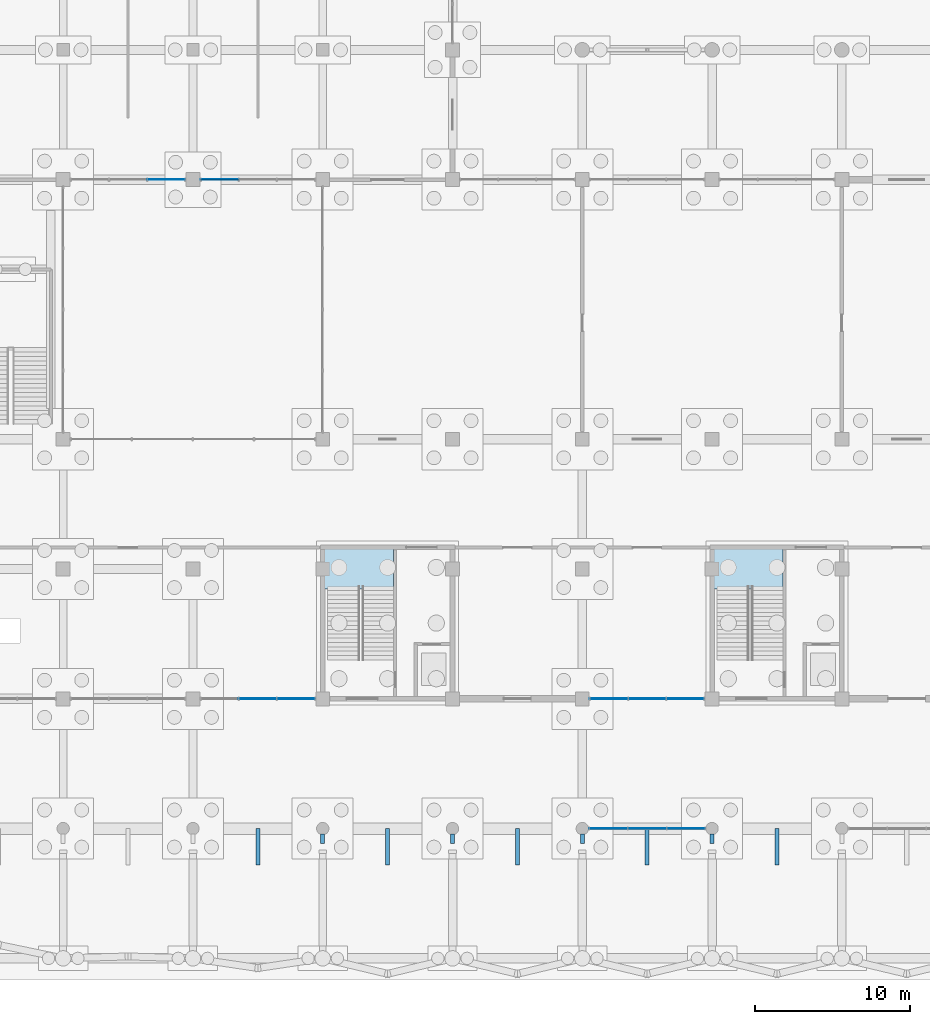
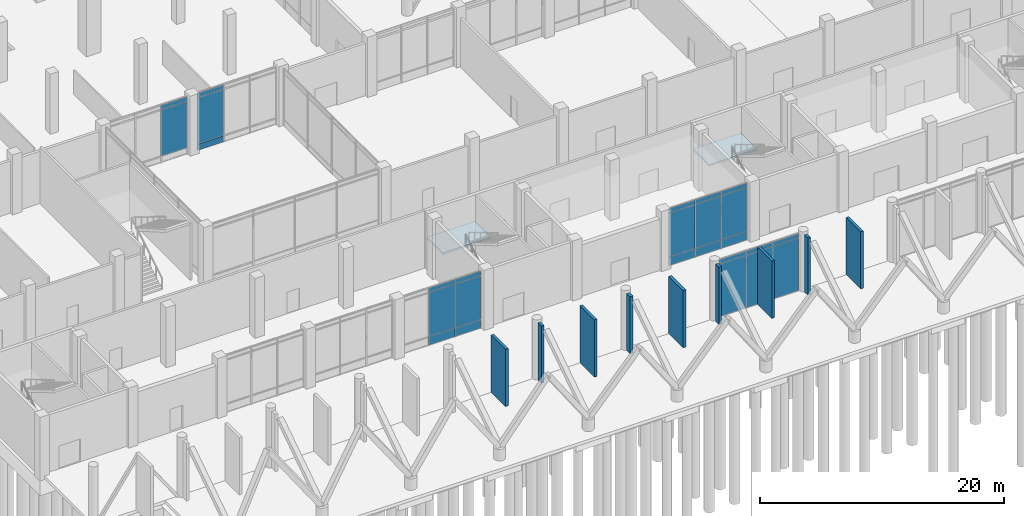
# One storey, part 38 of 72: 35 plates, 2 slabs, 7 elements without a shape of their own.
"""IFC4 building model written with IfcOpenShell, lengths in metres."""

import ifcopenshell
import ifcopenshell.guid

model = None  # the IFC model being written
_history = None  # IfcOwnerHistory: only IFC2X3 demands one
_inside = {}  # id of a spatial element -> (the spatial element, [elements in it])
_under = {}  # id of a project, library or spatial element -> (it, [spatial elements below it])
_declared = {}  # id of a project -> (the project, [libraries it declares])
_typed = {}  # id of a type object -> (the type object, [elements of that type])
_made_of = {}  # id of a material, layer set ... -> (it, [elements and type objects made of it])


def new_model(schema):
    """Start an empty IFC model of exactly this schema.

    Asked for "IFC4X3", IfcOpenShell would pick the latest addendum, in which some entities
    have other attributes; the version numbers below select the first issue.
    IFC2X3 requires an IfcOwnerHistory on every rooted entity: one is made here for all.
    """
    global model, _history
    if schema == "IFC4X3":
        model = ifcopenshell.file(schema_version=(4, 3, 0, 0))
    else:
        model = ifcopenshell.file(schema=schema)
    _inside.clear()
    _under.clear()
    _declared.clear()
    _typed.clear()
    _made_of.clear()
    _history = None
    if model.schema == "IFC2X3":
        org = make("IfcOrganization", Name="unknown")
        user = make(
            "IfcPersonAndOrganization",
            ThePerson=make("IfcPerson", FamilyName="unknown"),
            TheOrganization=org,
        )
        app = make(
            "IfcApplication",
            ApplicationDeveloper=org,
            Version="unknown",
            ApplicationFullName="unknown",
            ApplicationIdentifier="unknown",
        )
        _history = make(
            "IfcOwnerHistory",
            OwningUser=user,
            OwningApplication=app,
            ChangeAction="ADDED",
            CreationDate=0,
        )
    return model


def make(cls, **values):
    """One entity of the class cls with the attributes given. An attribute that is None is left unset."""
    return model.create_entity(
        cls, **{name: value for name, value in values.items() if value is not None}
    )


def rooted(cls, **values):
    """An entity with a GlobalId (a new one), such as an element, a storey or a relation."""
    return make(cls, GlobalId=ifcopenshell.guid.new(), OwnerHistory=_history, **values)


def si_unit(unit_type, name, prefix=None):
    """IfcSIUnit, for example si_unit("LENGTHUNIT", "METRE", prefix="MILLI")."""
    return make("IfcSIUnit", UnitType=unit_type, Prefix=prefix, Name=name)


def assignment(units):
    """IfcUnitAssignment: the units of a project."""
    return None if units is None else make("IfcUnitAssignment", Units=units)


def point(xyz):
    """IfcCartesianPoint."""
    return None if xyz is None else make("IfcCartesianPoint", Coordinates=xyz)


def direction(xyz):
    """IfcDirection."""
    return None if xyz is None else make("IfcDirection", DirectionRatios=xyz)


def frame(location, z_axis=None, x_axis=None):
    """IfcAxis2Placement3D, a coordinate frame: its origin and axes. An axis left out is left unset."""
    return make(
        "IfcAxis2Placement3D",
        Location=point(location),
        Axis=direction(z_axis),
        RefDirection=direction(x_axis),
    )


def frame_2d(location, x_axis=None):
    """IfcAxis2Placement2D, a coordinate frame in the plane: its origin and x axis."""
    return make(
        "IfcAxis2Placement2D", Location=point(location), RefDirection=direction(x_axis)
    )


def origin():
    """The frame at (0, 0, 0) with its axes left unset."""
    return frame((0.0, 0.0, 0.0))


def place(relative_to, where):
    """IfcLocalPlacement: puts the frame where relative to a parent placement (None: the world)."""
    return make(
        "IfcLocalPlacement", PlacementRelTo=relative_to, RelativePlacement=where
    )


def context(
    kind, dimensions, precision=None, world=None, true_north=None, identifier=None
):
    """IfcGeometricRepresentationContext, for example the 3D "Model" context."""
    return make(
        "IfcGeometricRepresentationContext",
        ContextIdentifier=identifier,
        ContextType=kind,
        CoordinateSpaceDimension=dimensions,
        Precision=precision,
        WorldCoordinateSystem=world,
        TrueNorth=true_north,
    )


def subcontext(parent, identifier, kind, view, scale=None):
    """IfcGeometricRepresentationSubContext, for example "Body" below "Model"."""
    return make(
        "IfcGeometricRepresentationSubContext",
        ContextIdentifier=identifier,
        ContextType=kind,
        ParentContext=parent,
        TargetScale=scale,
        TargetView=view,
    )


def project(units=None, contexts=None):
    """IfcProject with its units and contexts."""
    return rooted(
        "IfcProject",
        Name="project",
        RepresentationContexts=contexts,
        UnitsInContext=assignment(units),
    )


def spatial(cls, under=None, at=None, **own):
    """A site, building, storey or space (cls), placed at a placement, below another one or the project."""
    s = rooted(cls, ObjectPlacement=at, **own)
    if under is not None:
        _under.setdefault(under.id(), (under, []))[1].append(s)
    return s


def polyline(points):
    """IfcPolyline through the points."""
    return make("IfcPolyline", Points=[point(p) for p in points])


def profile(cls, at=None, kind="AREA", **sizes):
    """A parametric profile (cls). Its sizes go by their IFC names, for example OverallWidth=200.0."""
    return make(cls, ProfileType=kind, Position=at, **sizes)


def rectangle(**sizes):
    """IfcRectangleProfileDef."""
    return profile("IfcRectangleProfileDef", **sizes)


def outline(outer, holes=None, kind="AREA"):
    """IfcArbitraryClosedProfileDef: a profile drawn as a closed curve; with holes, ...WithVoids."""
    if holes is None:
        return make("IfcArbitraryClosedProfileDef", ProfileType=kind, OuterCurve=outer)
    return make(
        "IfcArbitraryProfileDefWithVoids",
        ProfileType=kind,
        OuterCurve=outer,
        InnerCurves=holes,
    )


def extrude(swept, where, along, depth):
    """IfcExtrudedAreaSolid: the profile swept, set in the frame where, extruded along a direction by depth."""
    return make(
        "IfcExtrudedAreaSolid",
        SweptArea=swept,
        Position=where,
        ExtrudedDirection=direction(along),
        Depth=depth,
    )


def shape(context_of_items, identifier, shape_type, items):
    """IfcShapeRepresentation: the items that make up one representation, for example the "Body"."""
    return make(
        "IfcShapeRepresentation",
        ContextOfItems=context_of_items,
        RepresentationIdentifier=identifier,
        RepresentationType=shape_type,
        Items=items,
    )


def material(Name=None, Category=None):
    """IfcMaterial."""
    return make("IfcMaterial", Name=Name, Category=Category)


def layer(
    of_material, thickness, ventilated=None, Name=None, Category=None, Priority=None
):
    """IfcMaterialLayer: one layer of a wall or slab, of a material (None: an air gap)."""
    return make(
        "IfcMaterialLayer",
        Material=of_material,
        LayerThickness=thickness,
        IsVentilated=ventilated,
        Name=Name,
        Category=Category,
        Priority=Priority,
    )


def layer_set(layers, Name=None):
    """IfcMaterialLayerSet."""
    return make("IfcMaterialLayerSet", MaterialLayers=layers, LayerSetName=Name)


def made_of(thing, what):
    """Note that an element or type object is made of a material, layer set ...; save() writes the relation."""
    if what is not None:
        _made_of.setdefault(what.id(), (what, []))[1].append(thing)
    return thing


def type_object(cls, material=None, **own):
    """A type object (cls), such as IfcWallType, which elements share."""
    return made_of(rooted(cls, **own), material)


def element(
    cls,
    number,
    at=None,
    inside=None,
    cuts=None,
    type_object=None,
    material=None,
    context=None,
    identifier="Body",
    shape_type=None,
    held_by="IfcProductDefinitionShape",
    body=None,
    shapes=None,
    **own,
):
    """One element of the class cls, such as IfcWall. Its Tag is "e" and its number.

    at: its placement. inside: the storey or other place that contains it. cuts: it is an
    opening in that element (IfcRelVoidsElement). A single representation is given by context,
    identifier, shape_type and body (its items); several are given by shapes. held_by: the class
    of the entity that holds the representations. save() writes the other relations.
    """
    e = rooted(cls, Tag="e%d" % number, ObjectPlacement=at, **own)
    if body is not None:
        shapes = [shape(context, identifier, shape_type, body)]
    if shapes is not None:
        e.Representation = make(held_by, Representations=shapes)
    if inside is not None:
        _inside.setdefault(inside.id(), (inside, []))[1].append(e)
    if cuts is not None:
        rooted(
            "IfcRelVoidsElement", RelatingBuildingElement=cuts, RelatedOpeningElement=e
        )
    if type_object is not None:
        _typed.setdefault(type_object.id(), (type_object, []))[1].append(e)
    return made_of(e, material)


def aggregate(whole, parts):
    """IfcRelAggregates: a whole, such as a stair, and the parts it consists of."""
    return rooted("IfcRelAggregates", RelatingObject=whole, RelatedObjects=parts)


def save(model, path):
    """Write the relations noted so far, then the file.

    IfcRelAggregates (storeys below a building ...), IfcRelContainedInSpatialStructure (elements
    in a storey), IfcRelDefinesByType, IfcRelAssociatesMaterial and IfcRelDeclares: one each for
    every whole, place, type object, material and project.
    """
    for whole, parts in _under.values():
        aggregate(whole, parts)
    for where, things in _inside.values():
        rooted(
            "IfcRelContainedInSpatialStructure",
            RelatedElements=things,
            RelatingStructure=where,
        )
    for kind, things in _typed.values():
        rooted("IfcRelDefinesByType", RelatedObjects=things, RelatingType=kind)
    for what, things in _made_of.values():
        rooted("IfcRelAssociatesMaterial", RelatedObjects=things, RelatingMaterial=what)
    for by, libraries in _declared.values():
        rooted("IfcRelDeclares", RelatingContext=by, RelatedDefinitions=libraries)
    model.write(path)


model = new_model("IFC4")

# Units and contexts
model_context = context("Model", 3, precision=1e-05, world=origin(), true_north=direction((0.0, 1.0)))
body_context = subcontext(model_context, "Body", "Model", "MODEL_VIEW")
ifc_project = project(units=[si_unit("LENGTHUNIT", "METRE"), si_unit("AREAUNIT", "SQUARE_METRE"), si_unit("VOLUMEUNIT", "CUBIC_METRE"), si_unit("PLANEANGLEUNIT", "RADIAN"), si_unit("MASSUNIT", "GRAM", prefix="KILO")], contexts=[model_context])

# Site, building, storey
site_placement = place(None, origin())
site = spatial("IfcSite", under=ifc_project, at=site_placement, CompositionType="ELEMENT")
building_placement = place(site_placement, origin())
building = spatial("IfcBuilding", under=site, at=building_placement, Name="Qawsi Khor Wholesale Market", CompositionType="ELEMENT")
storey_placement = place(building_placement, origin())
storey = spatial("IfcBuildingStorey", under=building, at=storey_placement, Name="L00", CompositionType="ELEMENT", Elevation=0.0)

# Curtain wall, plates
ifc_material_1 = material(Name="Aluminium Anodised Bronze", Category="aluminium")
ifc_layer_1 = layer(ifc_material_1, 0.159912109375, Name="Aluminium Anodised Bronze")
ifc_layer_set_1 = layer_set([ifc_layer_1], Name="Aluminium Anodised Bronze")
curtain_wall_type_1 = type_object("IfcCurtainWallType", Name="Boulevard Arcade Glazed Curtain Wall CW-01", PredefinedType="NOTDEFINED", material=ifc_layer_set_1)
curtain_wall_1_placement = place(storey_placement, origin())
curtain_wall_1 = element("IfcCurtainWall", 1, at=curtain_wall_1_placement, inside=storey, type_object=curtain_wall_type_1, Name="Curtain wall CW-CW-01-L00-003", PredefinedType="NOTDEFINED")
ifc_material_2 = material(Name="Anodised Aluminium Spandrel", Category="aluminium")
ifc_layer_2 = layer(ifc_material_2, 0.054931640625, Name="Anodised Aluminium Spandrel")
ifc_layer_set_2 = layer_set([ifc_layer_2], Name="Anodised Aluminium Spandrel")
plate_type_1 = type_object("IfcPlateType", Name="Insulated Spandrel Panel CW-01 55mm", PredefinedType="CURTAIN_PANEL", material=ifc_layer_set_2)
plate_1_placement = place(storey_placement, frame((61.76416015625, 8.39990234375, 0.0048828125), z_axis=(0.0, 0.0, 1.0), x_axis=(1.0, 0.0, 0.0)))
plate_1 = element("IfcPlate", 2, at=plate_1_placement, type_object=plate_type_1, Name="Curtain panel CW-CW-01-L00-003-P0_01", PredefinedType="CURTAIN_PANEL", context=body_context, shape_type="SweptSolid", body=[
    extrude(rectangle(XDim=2.4716796875, YDim=0.054931640625, at=frame_2d((1.23583984375, 0.0))), origin(), (0.0, 0.0, 1.0), 0.840087890625),
])
plate_2_placement = place(storey_placement, frame((64.23583984375, 8.39990234375, 0.0048828125), z_axis=(0.0, 0.0, 1.0), x_axis=(1.0, 0.0, 0.0)))
plate_2 = element("IfcPlate", 3, at=plate_2_placement, type_object=plate_type_1, Name="Curtain panel CW-CW-01-L00-003-P0_02", PredefinedType="CURTAIN_PANEL", context=body_context, shape_type="SweptSolid", body=[
    extrude(rectangle(XDim=2.4716796875, YDim=0.054931640625, at=frame_2d((1.23583984375, 0.0))), origin(), (0.0, 0.0, 1.0), 0.840087890625),
])

curtain_wall_2_placement = place(storey_placement, origin())
curtain_wall_2 = element("IfcCurtainWall", 4, at=curtain_wall_2_placement, inside=storey, type_object=curtain_wall_type_1, Name="Curtain wall CW-CW-01-L00-004", PredefinedType="NOTDEFINED")
plate_3_placement = place(storey_placement, frame((84.492431640625, 8.39990234375, 0.0048828125), z_axis=(0.0, 0.0, 1.0), x_axis=(1.0, 0.0, 0.0)))
plate_3 = element("IfcPlate", 5, at=plate_3_placement, type_object=plate_type_1, Name="Curtain panel CW-CW-01-L00-004-P0_00", PredefinedType="CURTAIN_PANEL", context=body_context, shape_type="SweptSolid", body=[
    extrude(rectangle(XDim=2.4716796875, YDim=0.054931640625, at=frame_2d((1.23583984375, 0.0))), origin(), (0.0, 0.0, 1.0), 0.840087890625),
])
plate_4_placement = place(storey_placement, frame((86.964111328125, 8.39990234375, 0.0048828125), z_axis=(0.0, 0.0, 1.0), x_axis=(1.0, 0.0, 0.0)))
plate_4 = element("IfcPlate", 6, at=plate_4_placement, type_object=plate_type_1, Name="Curtain panel CW-CW-01-L00-004-P0_01", PredefinedType="CURTAIN_PANEL", context=body_context, shape_type="SweptSolid", body=[
    extrude(rectangle(XDim=2.4716796875, YDim=0.054931640625, at=frame_2d((1.23583984375, 0.0))), origin(), (0.0, 0.0, 1.0), 0.840087890625),
])
plate_5_placement = place(storey_placement, frame((89.435791015625, 8.39990234375, 0.0048828125), z_axis=(0.0, 0.0, 1.0), x_axis=(1.0, 0.0, 0.0)))
plate_5 = element("IfcPlate", 7, at=plate_5_placement, type_object=plate_type_1, Name="Curtain panel CW-CW-01-L00-004-P0_02", PredefinedType="CURTAIN_PANEL", context=body_context, shape_type="SweptSolid", body=[
    extrude(rectangle(XDim=2.4716796875, YDim=0.054931640625, at=frame_2d((1.23583984375, 0.0))), origin(), (0.0, 0.0, 1.0), 0.840087890625),
])

# Curtain wall, plate
ifc_layer_3 = layer(ifc_material_1, 0.179931640625, Name="Aluminium Anodised Bronze")
ifc_layer_set_3 = layer_set([ifc_layer_3], Name="Aluminium Anodised Bronze")
curtain_wall_type_2 = type_object("IfcCurtainWallType", Name="Atrium Full-Height Curtain Wall CW-02", PredefinedType="NOTDEFINED", material=ifc_layer_set_3)
curtain_wall_3_placement = place(storey_placement, origin())
curtain_wall_3 = element("IfcCurtainWall", 8, at=curtain_wall_3_placement, inside=storey, type_object=curtain_wall_type_2, Name="Curtain wall CW-CW-02-L00-013", PredefinedType="NOTDEFINED")
ifc_layer_4 = layer(ifc_material_2, 0.06494140625, Name="Anodised Aluminium Spandrel")
ifc_layer_set_4 = layer_set([ifc_layer_4], Name="Anodised Aluminium Spandrel")
plate_type_2 = type_object("IfcPlateType", Name="Insulated Spandrel Panel CW-02 65mm", PredefinedType="CURTAIN_PANEL", material=ifc_layer_set_4)
plate_6_placement = place(storey_placement, frame((59.294921875, 42.0, 0.0048828125), z_axis=(0.0, 0.0, 1.0), x_axis=(1.0, 0.0, 0.0)))
plate_6 = element("IfcPlate", 9, at=plate_6_placement, type_object=plate_type_2, Name="Curtain panel CW-CW-02-L00-013-P0_00", PredefinedType="CURTAIN_PANEL", context=body_context, shape_type="SweptSolid", body=[
    extrude(rectangle(XDim=2.469970703125, YDim=0.06494140625, at=frame_2d((1.23486328125, 0.0))), origin(), (0.0, 0.0, 1.0), 0.590087890625),
])

# Plates
ifc_material_3 = material(Name="Concrete C40/50", Category="concrete")
ifc_layer_5 = layer(ifc_material_3, 0.260009765625, Name="Concrete C40/50")
ifc_layer_set_5 = layer_set([ifc_layer_5], Name="Concrete C40/50")
plate_type_3 = type_object("IfcPlateType", Name="Sculpted Concrete Solar Buttress Fin 260", PredefinedType="SHEET", material=ifc_layer_set_5)
plate_7_placement = place(storey_placement, frame((63.0, -2.35009765625, 0.0), z_axis=(0.0, 0.0, 1.0), x_axis=(0.0, 1.0, 0.0)))
element("IfcPlate", 10, at=plate_7_placement, inside=storey, type_object=plate_type_3, Name="Boulevard concrete solar buttress fin L00-09", PredefinedType="SHEET", context=body_context, shape_type="SweptSolid", body=[
    extrude(rectangle(XDim=2.3701171875, YDim=0.260009765625, at=frame_2d((1.18505859375, 0.0))), origin(), (0.0, 0.0, 1.0), 5.719970703125),
])
plate_8_placement = place(storey_placement, frame((67.199951171875, -0.949951171875, 0.0), z_axis=(0.0, 0.0, 1.0), x_axis=(0.0, 1.0, 0.0)))
element("IfcPlate", 11, at=plate_8_placement, inside=storey, type_object=plate_type_3, Name="Boulevard concrete solar buttress fin L00-10", PredefinedType="SHEET", context=body_context, shape_type="SweptSolid", body=[
    extrude(rectangle(XDim=0.58984375, YDim=0.260009765625, at=frame_2d((0.294921875, 0.0))), origin(), (0.0, 0.0, 1.0), 5.719970703125),
])
plate_9_placement = place(storey_placement, frame((71.39990234375, -2.35009765625, 0.0), z_axis=(0.0, 0.0, 1.0), x_axis=(0.0, 1.0, 0.0)))
element("IfcPlate", 12, at=plate_9_placement, inside=storey, type_object=plate_type_3, Name="Boulevard concrete solar buttress fin L00-11", PredefinedType="SHEET", context=body_context, shape_type="SweptSolid", body=[
    extrude(rectangle(XDim=2.3701171875, YDim=0.260009765625, at=frame_2d((1.18505859375, 0.0))), origin(), (0.0, 0.0, 1.0), 5.719970703125),
])
plate_10_placement = place(storey_placement, frame((75.60009765625, -0.949951171875, 0.0), z_axis=(0.0, 0.0, 1.0), x_axis=(0.0, 1.0, 0.0)))
element("IfcPlate", 13, at=plate_10_placement, inside=storey, type_object=plate_type_3, Name="Boulevard concrete solar buttress fin L00-12", PredefinedType="SHEET", context=body_context, shape_type="SweptSolid", body=[
    extrude(rectangle(XDim=0.58984375, YDim=0.260009765625, at=frame_2d((0.294921875, 0.0))), origin(), (0.0, 0.0, 1.0), 5.719970703125),
])
plate_11_placement = place(storey_placement, frame((79.800048828125, -2.35009765625, 0.0), z_axis=(0.0, 0.0, 1.0), x_axis=(0.0, 1.0, 0.0)))
element("IfcPlate", 14, at=plate_11_placement, inside=storey, type_object=plate_type_3, Name="Boulevard concrete solar buttress fin L00-13", PredefinedType="SHEET", context=body_context, shape_type="SweptSolid", body=[
    extrude(rectangle(XDim=2.3701171875, YDim=0.260009765625, at=frame_2d((1.18505859375, 0.0))), origin(), (0.0, 0.0, 1.0), 5.719970703125),
])
plate_12_placement = place(storey_placement, frame((84.0, -0.949951171875, 0.0), z_axis=(0.0, 0.0, 1.0), x_axis=(0.0, 1.0, 0.0)))
element("IfcPlate", 15, at=plate_12_placement, inside=storey, type_object=plate_type_3, Name="Boulevard concrete solar buttress fin L00-14", PredefinedType="SHEET", context=body_context, shape_type="SweptSolid", body=[
    extrude(rectangle(XDim=0.58984375, YDim=0.260009765625, at=frame_2d((0.294921875, 0.0))), origin(), (0.0, 0.0, 1.0), 5.719970703125),
])
plate_13_placement = place(storey_placement, frame((88.199951171875, -2.35009765625, 0.0), z_axis=(0.0, 0.0, 1.0), x_axis=(0.0, 1.0, 0.0)))
element("IfcPlate", 16, at=plate_13_placement, inside=storey, type_object=plate_type_3, Name="Boulevard concrete solar buttress fin L00-15", PredefinedType="SHEET", context=body_context, shape_type="SweptSolid", body=[
    extrude(rectangle(XDim=2.3701171875, YDim=0.260009765625, at=frame_2d((1.18505859375, 0.0))), origin(), (0.0, 0.0, 1.0), 5.719970703125),
])
plate_14_placement = place(storey_placement, frame((92.39990234375, -0.949951171875, 0.0), z_axis=(0.0, 0.0, 1.0), x_axis=(0.0, 1.0, 0.0)))
element("IfcPlate", 17, at=plate_14_placement, inside=storey, type_object=plate_type_3, Name="Boulevard concrete solar buttress fin L00-16", PredefinedType="SHEET", context=body_context, shape_type="SweptSolid", body=[
    extrude(rectangle(XDim=0.58984375, YDim=0.260009765625, at=frame_2d((0.294921875, 0.0))), origin(), (0.0, 0.0, 1.0), 5.719970703125),
])
plate_15_placement = place(storey_placement, frame((96.60009765625, -2.35009765625, 0.0), z_axis=(0.0, 0.0, 1.0), x_axis=(0.0, 1.0, 0.0)))
element("IfcPlate", 18, at=plate_15_placement, inside=storey, type_object=plate_type_3, Name="Boulevard concrete solar buttress fin L00-17", PredefinedType="SHEET", context=body_context, shape_type="SweptSolid", body=[
    extrude(rectangle(XDim=2.3701171875, YDim=0.260009765625, at=frame_2d((1.18505859375, 0.0))), origin(), (0.0, 0.0, 1.0), 5.719970703125),
])

# Plate
ifc_material_4 = material(Name="Tempered Low-E Solar Glass", Category="glass")
ifc_layer_6 = layer(ifc_material_4, 0.02392578125, Name="Tempered Low-E Solar Glass")
ifc_layer_set_6 = layer_set([ifc_layer_6], Name="Tempered Low-E Solar Glass")
plate_type_4 = type_object("IfcPlateType", Name="Solar Double-Glazed Unit CW-01 24mm", PredefinedType="CURTAIN_PANEL", material=ifc_layer_set_6)
plate_16_placement = place(storey_placement, frame((61.76416015625, 8.39990234375, 0.85498046875), z_axis=(0.0, 0.0, 1.0), x_axis=(1.0, 0.0, 0.0)))
plate_16 = element("IfcPlate", 19, at=plate_16_placement, type_object=plate_type_4, Name="Curtain panel CW-CW-01-L00-003-P1_01", PredefinedType="CURTAIN_PANEL", context=body_context, shape_type="SweptSolid", body=[
    extrude(rectangle(XDim=2.4716796875, YDim=0.02392578125, at=frame_2d((1.23583984375, 0.0))), origin(), (0.0, 0.0, 1.0), 4.409912109375),
])

plate_17_placement = place(storey_placement, frame((64.23583984375, 8.39990234375, 0.85498046875), z_axis=(0.0, 0.0, 1.0), x_axis=(1.0, 0.0, 0.0)))
plate_17 = element("IfcPlate", 20, at=plate_17_placement, type_object=plate_type_4, Name="Curtain panel CW-CW-01-L00-003-P1_02", PredefinedType="CURTAIN_PANEL", context=body_context, shape_type="SweptSolid", body=[
    extrude(rectangle(XDim=2.4716796875, YDim=0.02392578125, at=frame_2d((1.23583984375, 0.0))), origin(), (0.0, 0.0, 1.0), 4.409912109375),
])

plate_18_placement = place(storey_placement, frame((61.76416015625, 8.39990234375, 5.27490234375), z_axis=(0.0, 0.0, 1.0), x_axis=(1.0, 0.0, 0.0)))
plate_18 = element("IfcPlate", 21, at=plate_18_placement, type_object=plate_type_4, Name="Curtain panel CW-CW-01-L00-003-P2_01", PredefinedType="CURTAIN_PANEL", context=body_context, shape_type="SweptSolid", body=[
    extrude(rectangle(XDim=2.4716796875, YDim=0.02392578125, at=frame_2d((1.23583984375, 0.0))), origin(), (0.0, 0.0, 1.0), 0.440185546875),
])

plate_19_placement = place(storey_placement, frame((64.23583984375, 8.39990234375, 5.27490234375), z_axis=(0.0, 0.0, 1.0), x_axis=(1.0, 0.0, 0.0)))
plate_19 = element("IfcPlate", 22, at=plate_19_placement, type_object=plate_type_4, Name="Curtain panel CW-CW-01-L00-003-P2_02", PredefinedType="CURTAIN_PANEL", context=body_context, shape_type="SweptSolid", body=[
    extrude(rectangle(XDim=2.4716796875, YDim=0.02392578125, at=frame_2d((1.23583984375, 0.0))), origin(), (0.0, 0.0, 1.0), 0.440185546875),
])

aggregate(curtain_wall_1, [plate_1, plate_2, plate_16, plate_17, plate_18, plate_19])

plate_20_placement = place(storey_placement, frame((84.492431640625, 8.39990234375, 0.85498046875), z_axis=(0.0, 0.0, 1.0), x_axis=(1.0, 0.0, 0.0)))
plate_20 = element("IfcPlate", 23, at=plate_20_placement, type_object=plate_type_4, Name="Curtain panel CW-CW-01-L00-004-P1_00", PredefinedType="CURTAIN_PANEL", context=body_context, shape_type="SweptSolid", body=[
    extrude(rectangle(XDim=2.4716796875, YDim=0.02392578125, at=frame_2d((1.23583984375, 0.0))), origin(), (0.0, 0.0, 1.0), 4.409912109375),
])

plate_21_placement = place(storey_placement, frame((86.964111328125, 8.39990234375, 0.85498046875), z_axis=(0.0, 0.0, 1.0), x_axis=(1.0, 0.0, 0.0)))
plate_21 = element("IfcPlate", 24, at=plate_21_placement, type_object=plate_type_4, Name="Curtain panel CW-CW-01-L00-004-P1_01", PredefinedType="CURTAIN_PANEL", context=body_context, shape_type="SweptSolid", body=[
    extrude(rectangle(XDim=2.4716796875, YDim=0.02392578125, at=frame_2d((1.23583984375, 0.0))), origin(), (0.0, 0.0, 1.0), 4.409912109375),
])

plate_22_placement = place(storey_placement, frame((89.435791015625, 8.39990234375, 0.85498046875), z_axis=(0.0, 0.0, 1.0), x_axis=(1.0, 0.0, 0.0)))
plate_22 = element("IfcPlate", 25, at=plate_22_placement, type_object=plate_type_4, Name="Curtain panel CW-CW-01-L00-004-P1_02", PredefinedType="CURTAIN_PANEL", context=body_context, shape_type="SweptSolid", body=[
    extrude(rectangle(XDim=2.4716796875, YDim=0.02392578125, at=frame_2d((1.23583984375, 0.0))), origin(), (0.0, 0.0, 1.0), 4.409912109375),
])

plate_23_placement = place(storey_placement, frame((84.492431640625, 8.39990234375, 5.27490234375), z_axis=(0.0, 0.0, 1.0), x_axis=(1.0, 0.0, 0.0)))
plate_23 = element("IfcPlate", 26, at=plate_23_placement, type_object=plate_type_4, Name="Curtain panel CW-CW-01-L00-004-P2_00", PredefinedType="CURTAIN_PANEL", context=body_context, shape_type="SweptSolid", body=[
    extrude(rectangle(XDim=2.4716796875, YDim=0.02392578125, at=frame_2d((1.23583984375, 0.0))), origin(), (0.0, 0.0, 1.0), 0.440185546875),
])

plate_24_placement = place(storey_placement, frame((86.964111328125, 8.39990234375, 5.27490234375), z_axis=(0.0, 0.0, 1.0), x_axis=(1.0, 0.0, 0.0)))
plate_24 = element("IfcPlate", 27, at=plate_24_placement, type_object=plate_type_4, Name="Curtain panel CW-CW-01-L00-004-P2_01", PredefinedType="CURTAIN_PANEL", context=body_context, shape_type="SweptSolid", body=[
    extrude(rectangle(XDim=2.4716796875, YDim=0.02392578125, at=frame_2d((1.23583984375, 0.0))), origin(), (0.0, 0.0, 1.0), 0.440185546875),
])

plate_25_placement = place(storey_placement, frame((89.435791015625, 8.39990234375, 5.27490234375), z_axis=(0.0, 0.0, 1.0), x_axis=(1.0, 0.0, 0.0)))
plate_25 = element("IfcPlate", 28, at=plate_25_placement, type_object=plate_type_4, Name="Curtain panel CW-CW-01-L00-004-P2_02", PredefinedType="CURTAIN_PANEL", context=body_context, shape_type="SweptSolid", body=[
    extrude(rectangle(XDim=2.4716796875, YDim=0.02392578125, at=frame_2d((1.23583984375, 0.0))), origin(), (0.0, 0.0, 1.0), 0.440185546875),
])

aggregate(curtain_wall_2, [plate_3, plate_4, plate_5, plate_20, plate_21, plate_22, plate_23, plate_24, plate_25])

# Curtain wall, plates
curtain_wall_4_placement = place(storey_placement, origin())
curtain_wall_4 = element("IfcCurtainWall", 29, at=curtain_wall_4_placement, inside=storey, type_object=curtain_wall_type_1, Name="Curtain wall CW-CW-01-L00-159", PredefinedType="NOTDEFINED")
plate_26_placement = place(storey_placement, frame((84.4423828125, 0.0, 0.0048828125), z_axis=(0.0, 0.0, 1.0), x_axis=(1.0, 0.0, 0.0)))
plate_26 = element("IfcPlate", 30, at=plate_26_placement, type_object=plate_type_4, Name="Curtain panel CW-CW-01-L00-159-P0_00", PredefinedType="CURTAIN_PANEL", context=body_context, shape_type="SweptSolid", body=[
    extrude(rectangle(XDim=2.505126953125, YDim=0.02392578125, at=frame_2d((1.25244140625, 0.0))), origin(), (0.0, 0.0, 1.0), 5.260009765625),
])
plate_27_placement = place(storey_placement, frame((86.947509765625, 0.0, 0.0048828125), z_axis=(0.0, 0.0, 1.0), x_axis=(1.0, 0.0, 0.0)))
plate_27 = element("IfcPlate", 31, at=plate_27_placement, type_object=plate_type_4, Name="Curtain panel CW-CW-01-L00-159-P0_01", PredefinedType="CURTAIN_PANEL", context=body_context, shape_type="SweptSolid", body=[
    extrude(rectangle(XDim=2.5048828125, YDim=0.02392578125, at=frame_2d((1.25244140625, 0.0))), origin(), (0.0, 0.0, 1.0), 5.260009765625),
])
plate_28_placement = place(storey_placement, frame((89.452392578125, 0.0, 0.0048828125), z_axis=(0.0, 0.0, 1.0), x_axis=(1.0, 0.0, 0.0)))
plate_28 = element("IfcPlate", 32, at=plate_28_placement, type_object=plate_type_4, Name="Curtain panel CW-CW-01-L00-159-P0_02", PredefinedType="CURTAIN_PANEL", context=body_context, shape_type="SweptSolid", body=[
    extrude(rectangle(XDim=2.505126953125, YDim=0.02392578125, at=frame_2d((1.25244140625, 0.0))), origin(), (0.0, 0.0, 1.0), 5.260009765625),
])
plate_29_placement = place(storey_placement, frame((84.4423828125, 0.0, 5.27490234375), z_axis=(0.0, 0.0, 1.0), x_axis=(1.0, 0.0, 0.0)))
plate_29 = element("IfcPlate", 33, at=plate_29_placement, type_object=plate_type_4, Name="Curtain panel CW-CW-01-L00-159-P1_00", PredefinedType="CURTAIN_PANEL", context=body_context, shape_type="SweptSolid", body=[
    extrude(rectangle(XDim=2.505126953125, YDim=0.02392578125, at=frame_2d((1.25244140625, 0.0))), origin(), (0.0, 0.0, 1.0), 0.440185546875),
])
plate_30_placement = place(storey_placement, frame((86.947509765625, 0.0, 5.27490234375), z_axis=(0.0, 0.0, 1.0), x_axis=(1.0, 0.0, 0.0)))
plate_30 = element("IfcPlate", 34, at=plate_30_placement, type_object=plate_type_4, Name="Curtain panel CW-CW-01-L00-159-P1_01", PredefinedType="CURTAIN_PANEL", context=body_context, shape_type="SweptSolid", body=[
    extrude(rectangle(XDim=2.5048828125, YDim=0.02392578125, at=frame_2d((1.25244140625, 0.0))), origin(), (0.0, 0.0, 1.0), 0.440185546875),
])
plate_31_placement = place(storey_placement, frame((89.452392578125, 0.0, 5.27490234375), z_axis=(0.0, 0.0, 1.0), x_axis=(1.0, 0.0, 0.0)))
plate_31 = element("IfcPlate", 35, at=plate_31_placement, type_object=plate_type_4, Name="Curtain panel CW-CW-01-L00-159-P1_02", PredefinedType="CURTAIN_PANEL", context=body_context, shape_type="SweptSolid", body=[
    extrude(rectangle(XDim=2.505126953125, YDim=0.02392578125, at=frame_2d((1.25244140625, 0.0))), origin(), (0.0, 0.0, 1.0), 0.440185546875),
])
aggregate(curtain_wall_4, [plate_26, plate_27, plate_28, plate_29, plate_30, plate_31])

curtain_wall_5_placement = place(storey_placement, origin())
curtain_wall_5 = element("IfcCurtainWall", 36, at=curtain_wall_5_placement, inside=storey, type_object=curtain_wall_type_2, Name="Curtain wall CW-CW-02-L00-012", PredefinedType="NOTDEFINED")
ifc_layer_7 = layer(ifc_material_4, 0.031982421875, Name="Tempered Low-E Solar Glass")
ifc_layer_set_7 = layer_set([ifc_layer_7], Name="Tempered Low-E Solar Glass")
plate_type_5 = type_object("IfcPlateType", Name="Solar Double-Glazed Unit CW-02 32mm", PredefinedType="CURTAIN_PANEL", material=ifc_layer_set_7)
plate_32_placement = place(storey_placement, frame((55.8349609375, 42.0, 0.60498046875), z_axis=(0.0, 0.0, 1.0), x_axis=(1.0, 0.0, 0.0)))
plate_32 = element("IfcPlate", 37, at=plate_32_placement, type_object=plate_type_5, Name="Curtain panel CW-CW-02-L00-012-P1_02", PredefinedType="CURTAIN_PANEL", context=body_context, shape_type="SweptSolid", body=[
    extrude(rectangle(XDim=2.469970703125, YDim=0.031982421875, at=frame_2d((1.23486328125, 0.0))), origin(), (0.0, 0.0, 1.0), 4.659912109375),
])
plate_33_placement = place(storey_placement, frame((55.8349609375, 42.0, 5.27490234375), z_axis=(0.0, 0.0, 1.0), x_axis=(1.0, 0.0, 0.0)))
plate_33 = element("IfcPlate", 38, at=plate_33_placement, type_object=plate_type_5, Name="Curtain panel CW-CW-02-L00-012-P2_02", PredefinedType="CURTAIN_PANEL", context=body_context, shape_type="SweptSolid", body=[
    extrude(rectangle(XDim=2.469970703125, YDim=0.031982421875, at=frame_2d((1.23486328125, 0.0))), origin(), (0.0, 0.0, 1.0), 0.440185546875),
])
aggregate(curtain_wall_5, [plate_32, plate_33])

# Plate
plate_34_placement = place(storey_placement, frame((59.294921875, 42.0, 0.60498046875), z_axis=(0.0, 0.0, 1.0), x_axis=(1.0, 0.0, 0.0)))
plate_34 = element("IfcPlate", 39, at=plate_34_placement, type_object=plate_type_5, Name="Curtain panel CW-CW-02-L00-013-P1_00", PredefinedType="CURTAIN_PANEL", context=body_context, shape_type="SweptSolid", body=[
    extrude(rectangle(XDim=2.469970703125, YDim=0.031982421875, at=frame_2d((1.23486328125, 0.0))), origin(), (0.0, 0.0, 1.0), 4.659912109375),
])

plate_35_placement = place(storey_placement, frame((59.294921875, 42.0, 5.27490234375), z_axis=(0.0, 0.0, 1.0), x_axis=(1.0, 0.0, 0.0)))
plate_35 = element("IfcPlate", 40, at=plate_35_placement, type_object=plate_type_5, Name="Curtain panel CW-CW-02-L00-013-P2_00", PredefinedType="CURTAIN_PANEL", context=body_context, shape_type="SweptSolid", body=[
    extrude(rectangle(XDim=2.469970703125, YDim=0.031982421875, at=frame_2d((1.23486328125, 0.0))), origin(), (0.0, 0.0, 1.0), 0.440185546875),
])

aggregate(curtain_wall_3, [plate_6, plate_34, plate_35])

# Stair, slab
stair_type = type_object("IfcStairType", Name="Exit Stair L00-L01 6000 Rise", PredefinedType="HALF_TURN_STAIR", material=ifc_material_3)
stair_1_placement = place(storey_placement, origin())
stair_1 = element("IfcStair", 41, at=stair_1_placement, inside=storey, type_object=stair_type, Name="Stair ST-02 L00", PredefinedType="HALF_TURN_STAIR")
ifc_layer_8 = layer(ifc_material_3, 0.179931640625, Name="Concrete C40/50")
ifc_layer_set_8 = layer_set([ifc_layer_8], Name="Concrete C40/50")
slab_type = type_object("IfcSlabType", Name="Stair Half-Landing Slab 180 C40/50", PredefinedType="LANDING", material=ifc_layer_set_8)
slab_1_placement = place(storey_placement, frame((0.0, 0.0, 2.820068359375)))
slab_1 = element("IfcSlab", 42, at=slab_1_placement, type_object=slab_type, Name="ST-02-L00 landing 1", PredefinedType="LANDING", context=body_context, shape_type="SweptSolid", body=[
    extrude(outline(polyline([(67.25, 15.52001953125), (71.780029296875, 15.52001953125), (71.780029296875, 18.14990234375), (67.25, 18.14990234375), (67.25, 15.52001953125)])), origin(), (0.0, 0.0, 1.0), 0.179931640625),
])
aggregate(stair_1, [slab_1])

stair_2_placement = place(storey_placement, origin())
stair_2 = element("IfcStair", 43, at=stair_2_placement, inside=storey, type_object=stair_type, Name="Stair ST-03 L00", PredefinedType="HALF_TURN_STAIR")
slab_2_placement = place(storey_placement, frame((0.0, 0.0, 2.820068359375)))
slab_2 = element("IfcSlab", 44, at=slab_2_placement, type_object=slab_type, Name="ST-03-L00 landing 1", PredefinedType="LANDING", context=body_context, shape_type="SweptSolid", body=[
    extrude(outline(polyline([(92.449951171875, 15.52001953125), (96.97998046875, 15.52001953125), (96.97998046875, 18.14990234375), (92.449951171875, 18.14990234375), (92.449951171875, 15.52001953125)])), origin(), (0.0, 0.0, 1.0), 0.179931640625),
])
aggregate(stair_2, [slab_2])

save(model, "model.ifc")
